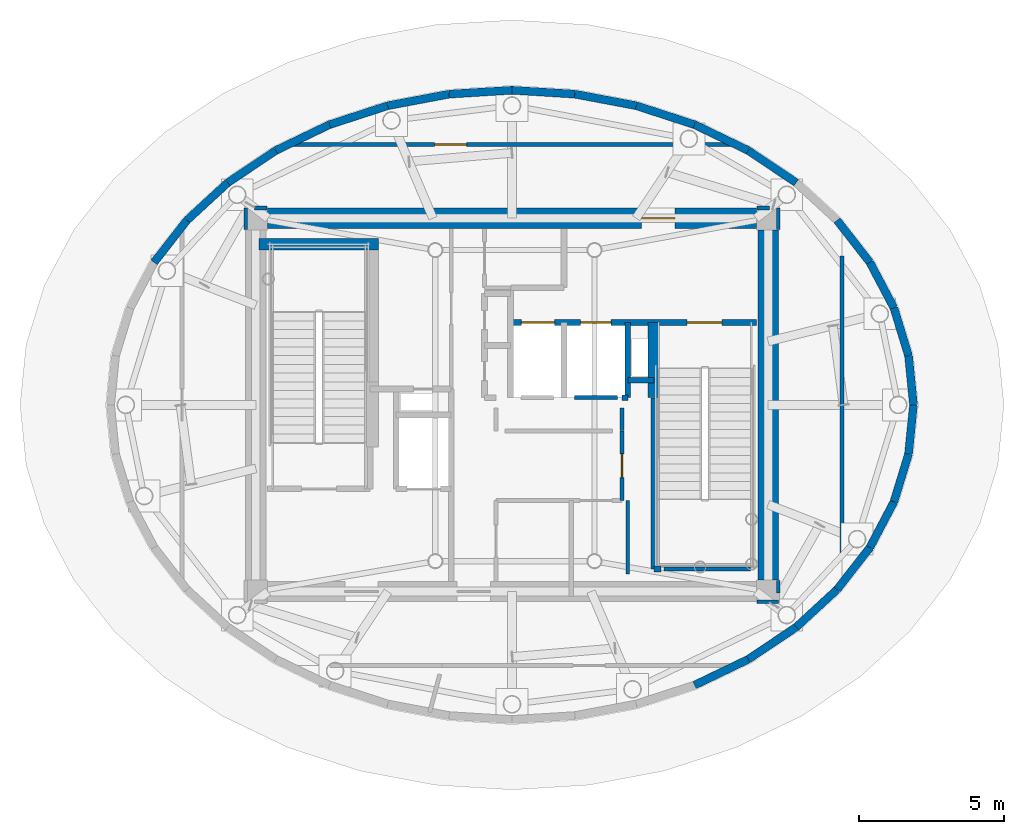
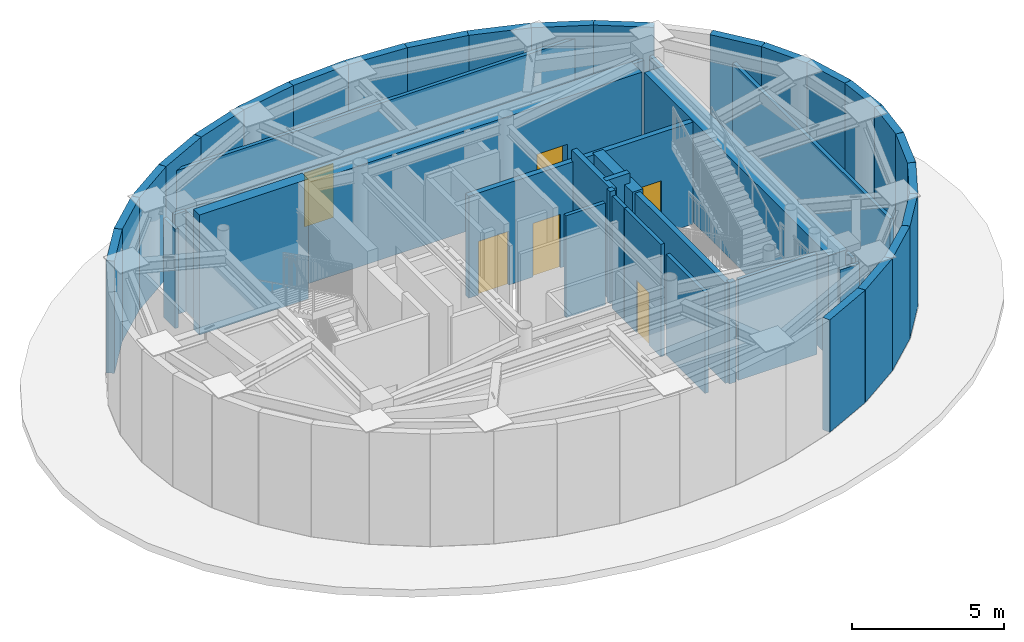
# One storey, part 4 of 12: 46 walls, 6 doors, 6 openings.
"""IFC4 building model written with IfcOpenShell, lengths in metres."""

from ifc_helpers import new_model, si_unit, direction, frame, frame_2d, origin, origin_2d, place, context, subcontext, project, spatial, rectangle, extrude, source, transform, mapped, material, layer, layer_set, type_object, element, fill, save


model = new_model("IFC4")

# Units and contexts
model_context = context("Model", 3, precision=1e-05, world=origin(), true_north=direction((0.0, 1.0)))
body_context = subcontext(model_context, "Body", "Model", "MODEL_VIEW")
ifc_project = project(units=[si_unit("LENGTHUNIT", "METRE"), si_unit("AREAUNIT", "SQUARE_METRE"), si_unit("VOLUMEUNIT", "CUBIC_METRE"), si_unit("PLANEANGLEUNIT", "RADIAN"), si_unit("MASSUNIT", "GRAM", prefix="KILO")], contexts=[model_context])

# Site, building, storey
site_placement = place(None, origin())
site = spatial("IfcSite", under=ifc_project, at=site_placement, CompositionType="ELEMENT")
building_placement = place(site_placement, origin())
building = spatial("IfcBuilding", under=site, at=building_placement, Name="Linh Dai School and Residence Tower", CompositionType="ELEMENT")
storey_placement = place(building_placement, frame((0.0, 0.0, 368.39990234375)))
storey = spatial("IfcBuildingStorey", under=building, at=storey_placement, Name="L91", CompositionType="ELEMENT", Elevation=368.39990234375)

# Walls
ifc_material_1 = material(Name="Concrete B45 (C35/45)", Category="concrete")
ifc_layer_1 = layer(ifc_material_1, 0.280029296875)
ifc_layer_set_1 = layer_set([ifc_layer_1], Name="Concrete B45 (C35/45)")
wall_type_1 = type_object("IfcWallType", Name="EW-DRM-280", PredefinedType="SOLIDWALL", material=ifc_layer_set_1)
wall_1_placement = place(storey_placement, frame((49.705078125, 28.696044921875, 0.0), z_axis=(0.0, 0.0, 1.0), x_axis=(0.099688072745, -0.995018737589, 0.0)))
element("IfcWall", 1, at=wall_1_placement, inside=storey, type_object=wall_type_1, Name="L91 Terracotta Exterior Wall 01", PredefinedType="SOLIDWALL", context=body_context, shape_type="SweptSolid", body=[
    extrude(rectangle(XDim=1.70458984375, YDim=0.280029296875, at=frame_2d((0.852294921875, 0.0))), origin(), (0.0, 0.0, 1.0), 4.5),
])
wall_2_placement = place(storey_placement, frame((49.19921875, 30.351318359375, 0.0), z_axis=(0.0, 0.0, 1.0), x_axis=(0.292261538012, -0.956338430368, 0.0)))
element("IfcWall", 2, at=wall_2_placement, inside=storey, type_object=wall_type_1, Name="L91 Terracotta Exterior Wall 02", PredefinedType="SOLIDWALL", context=body_context, shape_type="SweptSolid", body=[
    extrude(rectangle(XDim=1.73095703125, YDim=0.280029296875, at=frame_2d((0.865478515625, 0.0))), origin(), (0.0, 0.0, 1.0), 4.5),
])
wall_3_placement = place(storey_placement, frame((48.369140625, 31.92578125, 0.0), z_axis=(0.0, 0.0, 1.0), x_axis=(0.466368181746, -0.884590707082, 0.0)))
element("IfcWall", 3, at=wall_3_placement, inside=storey, type_object=wall_type_1, Name="L91 Terracotta Exterior Wall 03", PredefinedType="SOLIDWALL", context=body_context, shape_type="SweptSolid", body=[
    extrude(rectangle(XDim=1.77978515625, YDim=0.280029296875, at=frame_2d((0.889892578125, 0.0))), origin(), (0.0, 0.0, 1.0), 4.5),
])
wall_4_placement = place(storey_placement, frame((47.234375, 33.380859375, 0.0), z_axis=(0.0, 0.0, 1.0), x_axis=(0.614965988217, -0.788553633773, 0.0)))
element("IfcWall", 4, at=wall_4_placement, inside=storey, type_object=wall_type_1, Name="L91 Terracotta Exterior Wall 04", PredefinedType="SOLIDWALL", context=body_context, shape_type="SweptSolid", body=[
    extrude(rectangle(XDim=1.84521484375, YDim=0.280029296875, at=frame_2d((0.922607421875, 0.0))), origin(), (0.0, 0.0, 1.0), 4.5),
])
wall_5_placement = place(storey_placement, frame((44.1669921875, 35.79052734375, 0.0), z_axis=(0.0, 0.0, 1.0), x_axis=(0.830407326996, -0.557156774411, 0.0)))
element("IfcWall", 5, at=wall_5_placement, inside=storey, type_object=wall_type_1, Name="L91 Terracotta Exterior Wall 06", PredefinedType="SOLIDWALL", context=body_context, shape_type="SweptSolid", body=[
    extrude(rectangle(XDim=1.993408203125, YDim=0.280029296875, at=frame_2d((0.99658203125, 0.0))), origin(), (0.0, 0.0, 1.0), 4.5),
])
wall_6_placement = place(storey_placement, frame((42.309326171875, 36.68505859375, 0.0), z_axis=(0.0, 0.0, 1.0), x_axis=(0.900982812949, -0.433854780739, 0.0)))
element("IfcWall", 6, at=wall_6_placement, inside=storey, type_object=wall_type_1, Name="L91 Terracotta Exterior Wall 07", PredefinedType="SOLIDWALL", context=body_context, shape_type="SweptSolid", body=[
    extrude(rectangle(XDim=2.061767578125, YDim=0.280029296875, at=frame_2d((1.03076171875, 0.0))), origin(), (0.0, 0.0, 1.0), 4.5),
])
wall_7_placement = place(storey_placement, frame((40.29541015625, 37.340576171875, 0.0), z_axis=(0.0, 0.0, 1.0), x_axis=(0.950895892553, -0.309510906959, 0.0)))
element("IfcWall", 7, at=wall_7_placement, inside=storey, type_object=wall_type_1, Name="L91 Terracotta Exterior Wall 08", PredefinedType="SOLIDWALL", context=body_context, shape_type="SweptSolid", body=[
    extrude(rectangle(XDim=2.117919921875, YDim=0.280029296875, at=frame_2d((1.05908203125, 0.0))), origin(), (0.0, 0.0, 1.0), 4.5),
])
wall_8_placement = place(storey_placement, frame((38.174560546875, 37.740478515625, 0.0), z_axis=(0.0, 0.0, 1.0), x_axis=(0.982683423472, -0.18529244246, 0.0)))
element("IfcWall", 8, at=wall_8_placement, inside=storey, type_object=wall_type_1, Name="L91 Terracotta Exterior Wall 09", PredefinedType="SOLIDWALL", context=body_context, shape_type="SweptSolid", body=[
    extrude(rectangle(XDim=2.158203125, YDim=0.280029296875, at=frame_2d((1.0791015625, 0.0))), origin(), (0.0, 0.0, 1.0), 4.5),
])
for number, where, z_axis, x_axis, name in (
    (9, (36.0, 37.875, 0.0), (0.0, 0.0, 1.0), (0.99809205436, -0.061743428983, 0.0), "L91 Terracotta Exterior Wall 10"),
    (10, (33.825439453125, 37.740478515625, 0.0), (0.0, 0.0, 1.0), (0.99809205436, 0.061743428983, 0.0), "L91 Terracotta Exterior Wall 11"),
):
    element("IfcWall", number, at=place(storey_placement, frame(where, z_axis=z_axis, x_axis=x_axis)), inside=storey, type_object=wall_type_1, Name=name, PredefinedType="SOLIDWALL", context=body_context, shape_type="SweptSolid", body=[
        extrude(rectangle(XDim=2.1787109375, YDim=0.280029296875, at=frame_2d((1.08935546875, 0.0))), origin(), (0.0, 0.0, 1.0), 4.5),
    ])
wall_9_placement = place(storey_placement, frame((31.70458984375, 37.340576171875, 0.0), z_axis=(0.0, 0.0, 1.0), x_axis=(0.982683423472, 0.18529244246, 0.0)))
element("IfcWall", 11, at=wall_9_placement, inside=storey, type_object=wall_type_1, Name="L91 Terracotta Exterior Wall 12", PredefinedType="SOLIDWALL", context=body_context, shape_type="SweptSolid", body=[
    extrude(rectangle(XDim=2.158203125, YDim=0.280029296875, at=frame_2d((1.0791015625, 0.0))), origin(), (0.0, 0.0, 1.0), 4.5),
])
wall_10_placement = place(storey_placement, frame((29.690673828125, 36.68505859375, 0.0), z_axis=(0.0, 0.0, 1.0), x_axis=(0.950895892553, 0.309510906959, 0.0)))
element("IfcWall", 12, at=wall_10_placement, inside=storey, type_object=wall_type_1, Name="L91 Terracotta Exterior Wall 13", PredefinedType="SOLIDWALL", context=body_context, shape_type="SweptSolid", body=[
    extrude(rectangle(XDim=2.117919921875, YDim=0.280029296875, at=frame_2d((1.05908203125, 0.0))), origin(), (0.0, 0.0, 1.0), 4.5),
])
wall_11_placement = place(storey_placement, frame((27.8330078125, 35.79052734375, 0.0), z_axis=(0.0, 0.0, 1.0), x_axis=(0.900982812949, 0.433854780739, 0.0)))
element("IfcWall", 13, at=wall_11_placement, inside=storey, type_object=wall_type_1, Name="L91 Terracotta Exterior Wall 14", PredefinedType="SOLIDWALL", context=body_context, shape_type="SweptSolid", body=[
    extrude(rectangle(XDim=2.061767578125, YDim=0.280029296875, at=frame_2d((1.03076171875, 0.0))), origin(), (0.0, 0.0, 1.0), 4.5),
])
wall_12_placement = place(storey_placement, frame((26.177734375, 34.679931640625, 0.0), z_axis=(0.0, 0.0, 1.0), x_axis=(0.830407326996, 0.557156774411, 0.0)))
element("IfcWall", 14, at=wall_12_placement, inside=storey, type_object=wall_type_1, Name="L91 Terracotta Exterior Wall 15", PredefinedType="SOLIDWALL", context=body_context, shape_type="SweptSolid", body=[
    extrude(rectangle(XDim=1.993408203125, YDim=0.280029296875, at=frame_2d((0.99658203125, 0.0))), origin(), (0.0, 0.0, 1.0), 4.5),
])
wall_13_placement = place(storey_placement, frame((24.765625, 33.380859375, 0.0), z_axis=(0.0, 0.0, 1.0), x_axis=(0.735948763185, 0.677037235288, 0.0)))
element("IfcWall", 15, at=wall_13_placement, inside=storey, type_object=wall_type_1, Name="L91 Terracotta Exterior Wall 16", PredefinedType="SOLIDWALL", context=body_context, shape_type="SweptSolid", body=[
    extrude(rectangle(XDim=1.918701171875, YDim=0.280029296875, at=frame_2d((0.95947265625, 0.0))), origin(), (0.0, 0.0, 1.0), 4.5),
])
wall_14_placement = place(storey_placement, frame((23.630859375, 31.92578125, 0.0), z_axis=(0.0, 0.0, 1.0), x_axis=(0.614965988217, 0.788553633773, 0.0)))
element("IfcWall", 16, at=wall_14_placement, inside=storey, type_object=wall_type_1, Name="L91 Terracotta Exterior Wall 17", PredefinedType="SOLIDWALL", context=body_context, shape_type="SweptSolid", body=[
    extrude(rectangle(XDim=1.84521484375, YDim=0.280029296875, at=frame_2d((0.922607421875, 0.0))), origin(), (0.0, 0.0, 1.0), 4.5),
])
wall_15_placement = place(storey_placement, frame((44.1669921875, 18.20947265625, 0.0), z_axis=(0.0, 0.0, 1.0), x_axis=(-0.900982812949, -0.433854780739, 0.0)))
element("IfcWall", 17, at=wall_15_placement, inside=storey, type_object=wall_type_1, Name="L91 Terracotta Exterior Wall 34", PredefinedType="SOLIDWALL", context=body_context, shape_type="SweptSolid", body=[
    extrude(rectangle(XDim=2.061767578125, YDim=0.280029296875, at=frame_2d((1.03076171875, 0.0))), origin(), (0.0, 0.0, 1.0), 4.5),
])
wall_16_placement = place(storey_placement, frame((45.822265625, 19.320068359375, 0.0), z_axis=(0.0, 0.0, 1.0), x_axis=(-0.830407326996, -0.557156774411, 0.0)))
element("IfcWall", 18, at=wall_16_placement, inside=storey, type_object=wall_type_1, Name="L91 Terracotta Exterior Wall 35", PredefinedType="SOLIDWALL", context=body_context, shape_type="SweptSolid", body=[
    extrude(rectangle(XDim=1.993408203125, YDim=0.280029296875, at=frame_2d((0.99658203125, 0.0))), origin(), (0.0, 0.0, 1.0), 4.5),
])
wall_17_placement = place(storey_placement, frame((47.234375, 20.619140625, 0.0), z_axis=(0.0, 0.0, 1.0), x_axis=(-0.735948763185, -0.677037235288, 0.0)))
element("IfcWall", 19, at=wall_17_placement, inside=storey, type_object=wall_type_1, Name="L91 Terracotta Exterior Wall 36", PredefinedType="SOLIDWALL", context=body_context, shape_type="SweptSolid", body=[
    extrude(rectangle(XDim=1.918701171875, YDim=0.280029296875, at=frame_2d((0.95947265625, 0.0))), origin(), (0.0, 0.0, 1.0), 4.5),
])
wall_18_placement = place(storey_placement, frame((48.369140625, 22.07421875, 0.0), z_axis=(0.0, 0.0, 1.0), x_axis=(-0.614965988217, -0.788553633773, 0.0)))
element("IfcWall", 20, at=wall_18_placement, inside=storey, type_object=wall_type_1, Name="L91 Terracotta Exterior Wall 37", PredefinedType="SOLIDWALL", context=body_context, shape_type="SweptSolid", body=[
    extrude(rectangle(XDim=1.84521484375, YDim=0.280029296875, at=frame_2d((0.922607421875, 0.0))), origin(), (0.0, 0.0, 1.0), 4.5),
])
wall_19_placement = place(storey_placement, frame((49.19921875, 23.648681640625, 0.0), z_axis=(0.0, 0.0, 1.0), x_axis=(-0.466368181746, -0.884590707082, 0.0)))
element("IfcWall", 21, at=wall_19_placement, inside=storey, type_object=wall_type_1, Name="L91 Terracotta Exterior Wall 38", PredefinedType="SOLIDWALL", context=body_context, shape_type="SweptSolid", body=[
    extrude(rectangle(XDim=1.77978515625, YDim=0.280029296875, at=frame_2d((0.889892578125, 0.0))), origin(), (0.0, 0.0, 1.0), 4.5),
])
wall_20_placement = place(storey_placement, frame((49.705078125, 25.303955078125, 0.0), z_axis=(0.0, 0.0, 1.0), x_axis=(-0.292261538012, -0.956338430368, 0.0)))
element("IfcWall", 22, at=wall_20_placement, inside=storey, type_object=wall_type_1, Name="L91 Terracotta Exterior Wall 39", PredefinedType="SOLIDWALL", context=body_context, shape_type="SweptSolid", body=[
    extrude(rectangle(XDim=1.73095703125, YDim=0.280029296875, at=frame_2d((0.865478515625, 0.0))), origin(), (0.0, 0.0, 1.0), 4.5),
])
wall_21_placement = place(storey_placement, frame((49.875, 27.0, 0.0), z_axis=(0.0, 0.0, 1.0), x_axis=(-0.099688072745, -0.995018737589, 0.0)))
element("IfcWall", 23, at=wall_21_placement, inside=storey, type_object=wall_type_1, Name="L91 Terracotta Exterior Wall 40", PredefinedType="SOLIDWALL", context=body_context, shape_type="SweptSolid", body=[
    extrude(rectangle(XDim=1.70458984375, YDim=0.280029296875, at=frame_2d((0.852294921875, 0.0))), origin(), (0.0, 0.0, 1.0), 4.5),
])

# Wall, opening, door
ifc_material_2 = material(Name="Autoclaved Aerated Concrete Blockwork", Category="masonry")
ifc_layer_2 = layer(ifc_material_2, 0.135009765625)
ifc_layer_set_2 = layer_set([ifc_layer_2], Name="Autoclaved Aerated Concrete Blockwork")
wall_type_2 = type_object("IfcWallType", Name="IW-CORR-135-EI90", PredefinedType="PARTITIONING", material=ifc_layer_set_2)
wall_22_placement = place(storey_placement, frame((28.25634765625, 36.0, 0.0), z_axis=(0.0, 0.0, 1.0), x_axis=(1.0, 0.0, 0.0)))
wall_22 = element("IfcWall", 24, at=wall_22_placement, inside=storey, type_object=wall_type_2, Name="L91 Interior Partition Wall 003", PredefinedType="PARTITIONING", context=body_context, shape_type="SweptSolid", body=[
    extrude(rectangle(XDim=15.4873046875, YDim=0.135009765625, at=frame_2d((7.74365234375, 0.0))), origin(), (0.0, 0.0, 1.0), 3.985107421875),
])
opening_1_placement = place(wall_22_placement, frame((5.071533203125, 0.0, 0.0)))
opening_1 = element("IfcOpeningElement", 25, at=opening_1_placement, cuts=wall_22, Name="Opening D07", PredefinedType="OPENING", context=body_context, shape_type="SweptSolid", body=[
    extrude(rectangle(XDim=1.10009765625, YDim=2.14990234375, at=origin_2d()), frame((0.550048828125, 0.07763671875, 1.074951171875), z_axis=(0.0, -1.0, 0.0), x_axis=(1.0, 0.0, 0.0)), (0.0, 0.0, 1.0), 0.155029296875),
])
ifc_material_3 = material(Name="Fire-Rated Louvred Steel Plant Door", Category="steel")
door_type_1 = type_object("IfcDoorType", Name="DR-PLT-1100x2150-FD60S", OperationType="NOTDEFINED", PredefinedType="DOOR", material=ifc_material_3)
shared_shape_1 = source(origin(), body_context, "Body", "SweptSolid", [
    extrude(rectangle(XDim=1.10009765625, YDim=2.14990234375, at=origin_2d()), frame((0.550048828125, 0.02490234375, 1.074951171875), z_axis=(0.0, -1.0, 0.0), x_axis=(1.0, 0.0, 0.0)), (0.0, 0.0, 1.0), 0.050048828125),
])
door_1_placement = place(opening_1_placement, origin())
door_1 = element("IfcDoor", 26, at=door_1_placement, inside=storey, type_object=door_type_1, Name="L91 UHF/DVB-T2 Broadcast Transmitter Hall Door", OperationType="SINGLE_SWING_LEFT", OverallHeight=2.14990234375, OverallWidth=1.10009765625, PredefinedType="DOOR", context=body_context, shape_type="MappedRepresentation", body=[
    mapped(shared_shape_1, transform((0.0, 0.0, 0.0), x_axis=(1.0, 0.0, 0.0), y_axis=(0.0, 1.0, 0.0), z_axis=(0.0, 0.0, 1.0), scale=1.0)),
])
fill(opening_1, door_1)

wall_23_placement = place(storey_placement, frame((39.800048828125, 23.699951171875, 0.0), z_axis=(0.0, 0.0, 1.0), x_axis=(0.0, 1.0, 0.0)))
wall_23 = element("IfcWall", 27, at=wall_23_placement, inside=storey, type_object=wall_type_2, Name="L91 Interior Partition Wall 026", PredefinedType="PARTITIONING", context=body_context, shape_type="SweptSolid", body=[
    extrude(rectangle(XDim=2.400146484375, YDim=0.135009765625, at=frame_2d((1.2001953125, 0.0))), origin(), (0.0, 0.0, 1.0), 4.5),
])
opening_2_placement = place(wall_23_placement, frame((0.7900390625, 0.0, 0.0)))
opening_2 = element("IfcOpeningElement", 28, at=opening_2_placement, cuts=wall_23, Name="Opening D06", PredefinedType="OPENING", context=body_context, shape_type="SweptSolid", body=[
    extrude(rectangle(XDim=0.820068359375, YDim=2.10009765625, at=origin_2d()), frame((0.41015625, 0.07763671875, 1.050048828125), z_axis=(0.0, -1.0, 0.0), x_axis=(1.0, 0.0, 0.0)), (0.0, 0.0, 1.0), 0.155029296875),
])
ifc_material_4 = material(Name="Moisture-Resistant Timber Bathroom Door", Category="wood")
door_type_2 = type_object("IfcDoorType", Name="DR-WET-820x2100", OperationType="NOTDEFINED", PredefinedType="DOOR", material=ifc_material_4)
shared_shape_2 = source(origin(), body_context, "Body", "SweptSolid", [
    extrude(rectangle(XDim=0.820068359375, YDim=2.10009765625, at=origin_2d()), frame((0.41015625, 0.02490234375, 1.050048828125), z_axis=(0.0, -1.0, 0.0), x_axis=(1.0, 0.0, 0.0)), (0.0, 0.0, 1.0), 0.050048828125),
])
door_2_placement = place(opening_2_placement, origin())
door_2 = element("IfcDoor", 29, at=door_2_placement, inside=storey, type_object=door_type_2, Name="L91 East Linen Store Door", OperationType="SINGLE_SWING_RIGHT", OverallHeight=2.10009765625, OverallWidth=0.820068359375, PredefinedType="DOOR", context=body_context, shape_type="MappedRepresentation", body=[
    mapped(shared_shape_2, transform((0.0, 0.0, 0.0), x_axis=(1.0, 0.0, 0.0), y_axis=(0.0, 1.0, 0.0), z_axis=(0.0, 0.0, 1.0), scale=1.0)),
])
fill(opening_2, door_2)

# Walls
wall_24_placement = place(storey_placement, frame((44.239990234375, 21.330078125, 0.0), z_axis=(0.0, 0.0, 1.0), x_axis=(-1.0, 0.0, 0.0)))
element("IfcWall", 30, at=wall_24_placement, inside=storey, type_object=wall_type_2, Name="L91 Interior Partition Wall 032", PredefinedType="PARTITIONING", context=body_context, shape_type="SweptSolid", body=[
    extrude(rectangle(XDim=2.97998046875, YDim=0.135009765625, at=frame_2d((1.489990234375, 0.0))), origin(), (0.0, 0.0, 1.0), 4.03515625),
])
wall_25_placement = place(storey_placement, frame((39.639892578125, 27.25, 0.0), z_axis=(0.0, 0.0, 1.0), x_axis=(-1.0, 0.0, 0.0)))
element("IfcWall", 31, at=wall_25_placement, inside=storey, type_object=wall_type_2, Name="L91 Interior Partition Wall 034", PredefinedType="PARTITIONING", context=body_context, shape_type="SweptSolid", body=[
    extrude(rectangle(XDim=1.47998046875, YDim=0.135009765625, at=frame_2d((0.739990234375, 0.0))), origin(), (0.0, 0.0, 1.0), 4.085205078125),
])
wall_26_placement = place(storey_placement, frame((40.0, 23.699951171875, 0.0), z_axis=(0.0, 0.0, 1.0), x_axis=(0.0, -1.0, 0.0)))
element("IfcWall", 32, at=wall_26_placement, inside=storey, type_object=wall_type_2, Name="L91 Interior Partition Wall 035", PredefinedType="PARTITIONING", context=body_context, shape_type="SweptSolid", body=[
    extrude(rectangle(XDim=2.5400390625, YDim=0.135009765625, at=frame_2d((1.27001953125, 0.0))), origin(), (0.0, 0.0, 1.0), 4.03515625),
])
wall_27_placement = place(storey_placement, frame((39.800048828125, 26.110107421875, 0.0), z_axis=(0.0, 0.0, 1.0), x_axis=(0.0, 1.0, 0.0)))
element("IfcWall", 33, at=wall_27_placement, inside=storey, type_object=wall_type_2, Name="L91 Interior Partition Wall 036", PredefinedType="PARTITIONING", context=body_context, shape_type="SweptSolid", body=[
    extrude(rectangle(XDim=0.77978515625, YDim=0.135009765625, at=frame_2d((0.389892578125, 0.0))), origin(), (0.0, 0.0, 1.0), 4.5),
])
wall_28_placement = place(storey_placement, frame((47.39990234375, 32.151611328125, 0.0), z_axis=(0.0, 0.0, 1.0), x_axis=(0.0, -1.0, 0.0)))
element("IfcWall", 34, at=wall_28_placement, inside=storey, type_object=wall_type_2, Name="L91 Interior Partition Wall 039", PredefinedType="PARTITIONING", context=body_context, shape_type="SweptSolid", body=[
    extrude(rectangle(XDim=10.30322265625, YDim=0.135009765625, at=frame_2d((5.151611328125, 0.0))), origin(), (0.0, 0.0, 1.0), 3.985107421875),
])
for number, where, z_axis, x_axis, name in (
    (35, (26.800048828125, 33.800048828125, 0.0), (0.0, 0.0, 1.0), (0.0, -1.0, 0.0), "L91 Interior Partition Wall 041"),
    (36, (44.4599609375, 20.199951171875, 0.0), (0.0, 0.0, 1.0), (1.0, 0.0, 0.0), "L91 Interior Partition Wall 044"),
):
    element("IfcWall", number, at=place(storey_placement, frame(where, z_axis=z_axis, x_axis=x_axis)), inside=storey, type_object=wall_type_2, Name=name, PredefinedType="PARTITIONING", context=body_context, shape_type="SweptSolid", body=[
        extrude(rectangle(XDim=0.739990234375, YDim=0.135009765625, at=frame_2d((0.3701171875, 0.0))), origin(), (0.0, 0.0, 1.0), 3.985107421875),
    ])
wall_29_placement = place(storey_placement, frame((45.199951171875, 20.507568359375, 0.0), z_axis=(0.0, 0.0, 1.0), x_axis=(0.0, 1.0, 0.0)))
element("IfcWall", 37, at=wall_29_placement, inside=storey, type_object=wall_type_2, Name="L91 Interior Partition Wall 045", PredefinedType="PARTITIONING", context=body_context, shape_type="SweptSolid", body=[
    extrude(rectangle(XDim=0.432373046875, YDim=0.135009765625, at=frame_2d((0.21630859375, 0.0))), origin(), (0.0, 0.0, 1.0), 3.985107421875),
])
wall_30_placement = place(storey_placement, frame((45.199951171875, 33.06005859375, 0.0), z_axis=(0.0, 0.0, 1.0), x_axis=(0.0, 1.0, 0.0)))
element("IfcWall", 38, at=wall_30_placement, inside=storey, type_object=wall_type_2, Name="L91 Interior Partition Wall 046", PredefinedType="PARTITIONING", context=body_context, shape_type="SweptSolid", body=[
    extrude(rectangle(XDim=0.739990234375, YDim=0.135009765625, at=frame_2d((0.3701171875, 0.0))), origin(), (0.0, 0.0, 1.0), 4.03515625),
])
wall_31_placement = place(storey_placement, frame((44.892578125, 33.800048828125, 0.0), z_axis=(0.0, 0.0, 1.0), x_axis=(-1.0, 0.0, 0.0)))
element("IfcWall", 39, at=wall_31_placement, inside=storey, type_object=wall_type_2, Name="L91 Interior Partition Wall 047", PredefinedType="PARTITIONING", context=body_context, shape_type="SweptSolid", body=[
    extrude(rectangle(XDim=0.4326171875, YDim=0.135009765625, at=frame_2d((0.21630859375, 0.0))), origin(), (0.0, 0.0, 1.0), 3.985107421875),
])
wall_32_placement = place(storey_placement, frame((27.5400390625, 33.800048828125, 0.0), z_axis=(0.0, 0.0, 1.0), x_axis=(-1.0, 0.0, 0.0)))
element("IfcWall", 40, at=wall_32_placement, inside=storey, type_object=wall_type_2, Name="L91 Interior Partition Wall 048", PredefinedType="PARTITIONING", context=body_context, shape_type="SweptSolid", body=[
    extrude(rectangle(XDim=0.4326171875, YDim=0.135009765625, at=frame_2d((0.21630859375, 0.0))), origin(), (0.0, 0.0, 1.0), 4.03515625),
])

# Wall, openings, doors
ifc_layer_3 = layer(ifc_material_1, 0.199951171875)
ifc_layer_set_3 = layer_set([ifc_layer_3], Name="Concrete B45 (C35/45)")
wall_type_3 = type_object("IfcWallType", Name="IW-SHAFT-200-EI120", PredefinedType="PARTITIONING", material=ifc_layer_set_3)
wall_33_placement = place(storey_placement, frame((35.949951171875, 29.85009765625, 0.0), z_axis=(0.0, 0.0, 1.0), x_axis=(1.0, 0.0, 0.0)))
wall_33 = element("IfcWall", 41, at=wall_33_placement, inside=storey, type_object=wall_type_3, Name="L91 Interior Partition Wall 021", PredefinedType="PARTITIONING", context=body_context, shape_type="SweptSolid", body=[
    extrude(rectangle(XDim=8.489990234375, YDim=0.199951171875, at=frame_2d((4.2451171875, 0.0))), origin(), (0.0, 0.0, 1.0), 4.085205078125),
])
opening_3_placement = place(wall_33_placement, frame((6.10009765625, 0.0, 0.0)))
opening_3 = element("IfcOpeningElement", 42, at=opening_3_placement, cuts=wall_33, Name="Opening D01", PredefinedType="OPENING", context=body_context, shape_type="SweptSolid", body=[
    extrude(rectangle(XDim=1.199951171875, YDim=2.14990234375, at=origin_2d()), frame((0.60009765625, 0.10986328125, 1.074951171875), z_axis=(0.0, -1.0, 0.0), x_axis=(1.0, 0.0, 0.0)), (0.0, 0.0, 1.0), 0.219970703125),
])
opening_4_placement = place(wall_33_placement, frame((0.3701171875, 0.0, 0.0)))
opening_4 = element("IfcOpeningElement", 43, at=opening_4_placement, cuts=wall_33, Name="Opening LD-FF1", PredefinedType="OPENING", context=body_context, shape_type="SweptSolid", body=[
    extrude(rectangle(XDim=1.14990234375, YDim=2.14990234375, at=origin_2d()), frame((0.574951171875, 0.10986328125, 1.074951171875), z_axis=(0.0, -1.0, 0.0), x_axis=(1.0, 0.0, 0.0)), (0.0, 0.0, 1.0), 0.219970703125),
])
opening_5_placement = place(wall_33_placement, frame((2.425048828125, 0.0, 0.0)))
opening_5 = element("IfcOpeningElement", 44, at=opening_5_placement, cuts=wall_33, Name="Opening LD-SV1", PredefinedType="OPENING", context=body_context, shape_type="SweptSolid", body=[
    extrude(rectangle(XDim=1.050048828125, YDim=2.14990234375, at=origin_2d()), frame((0.52490234375, 0.10986328125, 1.074951171875), z_axis=(0.0, -1.0, 0.0), x_axis=(1.0, 0.0, 0.0)), (0.0, 0.0, 1.0), 0.219970703125),
])
ifc_material_5 = material(Name="Fire-Rated Steel Door Leaf", Category="steel")
door_type_3 = type_object("IfcDoorType", Name="DR-STAIR-1200x2150-FD90S", OperationType="NOTDEFINED", PredefinedType="DOOR", material=ifc_material_5)
shared_shape_3 = source(origin(), body_context, "Body", "SweptSolid", [
    extrude(rectangle(XDim=1.199951171875, YDim=2.14990234375, at=origin_2d()), frame((0.60009765625, 0.02490234375, 1.074951171875), z_axis=(0.0, -1.0, 0.0), x_axis=(1.0, 0.0, 0.0)), (0.0, 0.0, 1.0), 0.050048828125),
])
door_3_placement = place(opening_3_placement, origin())
door_3 = element("IfcDoor", 45, at=door_3_placement, inside=storey, type_object=door_type_3, Name="L91 Core Smokeproof Exit Stair ST2 Door", OperationType="SINGLE_SWING_LEFT", OverallHeight=2.14990234375, OverallWidth=1.199951171875, PredefinedType="DOOR", context=body_context, shape_type="MappedRepresentation", body=[
    mapped(shared_shape_3, transform((0.0, 0.0, 0.0), x_axis=(1.0, 0.0, 0.0), y_axis=(0.0, 1.0, 0.0), z_axis=(0.0, 0.0, 1.0), scale=1.0)),
])
fill(opening_3, door_3)
ifc_material_6 = material(Name="Fire-Rated Stainless Steel Firefighting Lift Door", Category="steel")
door_type_4 = type_object("IfcDoorType", Name="DR-LD-FF-1150x2150-FD120", OperationType="DOUBLE_DOOR_SLIDING", PredefinedType="USERDEFINED", material=ifc_material_6)
shared_shape_4 = source(origin(), body_context, "Body", "SweptSolid", [
    extrude(rectangle(XDim=1.14990234375, YDim=2.14990234375, at=origin_2d()), frame((0.574951171875, 0.02490234375, 1.074951171875), z_axis=(0.0, -1.0, 0.0), x_axis=(1.0, 0.0, 0.0)), (0.0, 0.0, 1.0), 0.050048828125),
])
door_4_placement = place(opening_4_placement, origin())
door_4 = element("IfcDoor", 46, at=door_4_placement, inside=storey, type_object=door_type_4, Name="L91 Lift FF1 Sliding Landing Door", ObjectType="LANDING DOOR", OperationType="DOUBLE_DOOR_SLIDING", OverallHeight=2.14990234375, OverallWidth=1.14990234375, PredefinedType="USERDEFINED", context=body_context, shape_type="MappedRepresentation", body=[
    mapped(shared_shape_4, transform((0.0, 0.0, 0.0), x_axis=(1.0, 0.0, 0.0), y_axis=(0.0, 1.0, 0.0), z_axis=(0.0, 0.0, 1.0), scale=1.0)),
])
fill(opening_4, door_4)
ifc_material_7 = material(Name="Brushed Stainless Steel Lift Landing Door", Category="steel")
door_type_5 = type_object("IfcDoorType", Name="DR-LD-PASS-1050x2150", OperationType="DOUBLE_DOOR_SLIDING", PredefinedType="USERDEFINED", material=ifc_material_7)
shared_shape_5 = source(origin(), body_context, "Body", "SweptSolid", [
    extrude(rectangle(XDim=1.050048828125, YDim=2.14990234375, at=origin_2d()), frame((0.52490234375, 0.02490234375, 1.074951171875), z_axis=(0.0, -1.0, 0.0), x_axis=(1.0, 0.0, 0.0)), (0.0, 0.0, 1.0), 0.050048828125),
])
door_5_placement = place(opening_5_placement, origin())
door_5 = element("IfcDoor", 47, at=door_5_placement, inside=storey, type_object=door_type_5, Name="L91 Lift SV1 Sliding Landing Door", ObjectType="LANDING DOOR", OperationType="DOUBLE_DOOR_SLIDING", OverallHeight=2.14990234375, OverallWidth=1.050048828125, PredefinedType="USERDEFINED", context=body_context, shape_type="MappedRepresentation", body=[
    mapped(shared_shape_5, transform((0.0, 0.0, 0.0), x_axis=(1.0, 0.0, 0.0), y_axis=(0.0, 1.0, 0.0), z_axis=(0.0, 0.0, 1.0), scale=1.0)),
])
fill(opening_5, door_5)

# Walls
wall_34_placement = place(storey_placement, frame((39.800048828125, 27.25, 0.0), z_axis=(0.0, 0.0, 1.0), x_axis=(1.0, 0.0, 0.0)))
element("IfcWall", 48, at=wall_34_placement, inside=storey, type_object=wall_type_3, Name="L91 Interior Partition Wall 027", PredefinedType="PARTITIONING", context=body_context, shape_type="SweptSolid", body=[
    extrude(rectangle(XDim=0.199951171875, YDim=0.199951171875, at=frame_2d((0.10009765625, 0.0))), origin(), (0.0, 0.0, 1.0), 4.5),
])
wall_35_placement = place(storey_placement, frame((40.0, 27.25, 0.0), z_axis=(0.0, 0.0, 1.0), x_axis=(0.0, 1.0, 0.0)))
element("IfcWall", 49, at=wall_35_placement, inside=storey, type_object=wall_type_3, Name="L91 Interior Partition Wall 028", PredefinedType="PARTITIONING", context=body_context, shape_type="SweptSolid", body=[
    extrude(rectangle(XDim=2.60009765625, YDim=0.199951171875, at=frame_2d((1.300048828125, 0.0))), origin(), (0.0, 0.0, 1.0), 4.5),
])
wall_36_placement = place(storey_placement, frame((40.0, 27.85009765625, 0.0), z_axis=(0.0, 0.0, 1.0), x_axis=(1.0, 0.0, 0.0)))
element("IfcWall", 50, at=wall_36_placement, inside=storey, type_object=wall_type_3, Name="L91 Interior Partition Wall 029", PredefinedType="PARTITIONING", context=body_context, shape_type="SweptSolid", body=[
    extrude(rectangle(XDim=0.89990234375, YDim=0.199951171875, at=frame_2d((0.449951171875, 0.0))), origin(), (0.0, 0.0, 1.0), 4.5),
])
wall_37_placement = place(storey_placement, frame((40.89990234375, 21.330078125, 0.0), z_axis=(0.0, 0.0, 1.0), x_axis=(0.0, 1.0, 0.0)))
element("IfcWall", 51, at=wall_37_placement, inside=storey, type_object=wall_type_3, Name="L91 Interior Partition Wall 030", PredefinedType="PARTITIONING", context=body_context, shape_type="SweptSolid", body=[
    extrude(rectangle(XDim=5.909912109375, YDim=0.199951171875, at=frame_2d((2.955078125, 0.0))), origin(), (0.0, 0.0, 1.0), 4.03515625),
])
wall_38_placement = place(storey_placement, frame((40.89990234375, 21.330078125, 0.0), z_axis=(0.0, 0.0, 1.0), x_axis=(1.0, 0.0, 0.0)))
element("IfcWall", 52, at=wall_38_placement, inside=storey, type_object=wall_type_3, Name="L91 Interior Partition Wall 031", PredefinedType="PARTITIONING", context=body_context, shape_type="SweptSolid", body=[
    extrude(rectangle(XDim=0.25, YDim=0.199951171875, at=frame_2d((0.125, 0.0))), origin(), (0.0, 0.0, 1.0), 4.03515625),
])
ifc_layer_4 = layer(ifc_material_1, 0.39990234375)
ifc_layer_set_4 = layer_set([ifc_layer_4], Name="Concrete B45 (C35/45)")
wall_type_4 = type_object("IfcWallType", Name="WL-CORE400", PredefinedType="SHEAR", material=ifc_layer_set_4)
wall_39_placement = place(storey_placement, frame((27.25, 32.550048828125, 0.0), z_axis=(0.0, 0.0, 1.0), x_axis=(1.0, 0.0, 0.0)))
element("IfcWall", 53, at=wall_39_placement, inside=storey, type_object=wall_type_4, Name="L91 Core Stair ST1 Bearing Wall N", PredefinedType="SHEAR", context=body_context, shape_type="SweptSolid", body=[
    extrude(rectangle(XDim=4.1298828125, YDim=0.39990234375, at=frame_2d((2.06494140625, 0.0))), origin(), (0.0, 0.0, 1.0), 4.800048828125),
])
wall_40_placement = place(storey_placement, frame((40.89990234375, 27.25, 0.0), z_axis=(0.0, 0.0, 1.0), x_axis=(0.0, 1.0, 0.0)))
element("IfcWall", 54, at=wall_40_placement, inside=storey, type_object=wall_type_4, Name="L91 Internal Core Shear Wall IE", PredefinedType="SHEAR", context=body_context, shape_type="SweptSolid", body=[
    extrude(rectangle(XDim=2.60009765625, YDim=0.39990234375, at=frame_2d((1.300048828125, 0.0))), origin(), (0.0, 0.0, 1.0), 4.10009765625),
])

# Wall, opening, door
ifc_layer_5 = layer(ifc_material_1, 0.699951171875)
ifc_layer_set_5 = layer_set([ifc_layer_5], Name="Concrete B45 (C35/45)")
wall_type_5 = type_object("IfcWallType", Name="WL-CORE700", PredefinedType="SHEAR", material=ifc_layer_set_5)
wall_41_placement = place(storey_placement, frame((27.550048828125, 33.449951171875, 0.0), z_axis=(0.0, 0.0, 1.0), x_axis=(1.0, 0.0, 0.0)))
wall_41 = element("IfcWall", 55, at=wall_41_placement, inside=storey, type_object=wall_type_5, Name="L91 Central Core Shear Wall N", PredefinedType="SHEAR", context=body_context, shape_type="SweptSolid", body=[
    extrude(rectangle(XDim=16.89990234375, YDim=0.699951171875, at=frame_2d((8.449951171875, 0.0))), origin(), (0.0, 0.0, 1.0), 4.050048828125),
])
opening_6_placement = place(wall_41_placement, frame((12.925048828125, 0.0, 0.0)))
opening_6 = element("IfcOpeningElement", 56, at=opening_6_placement, cuts=wall_41, Name="Opening D02", PredefinedType="OPENING", context=body_context, shape_type="SweptSolid", body=[
    extrude(rectangle(XDim=1.14990234375, YDim=2.14990234375, at=origin_2d()), frame((0.574951171875, 0.35986328125, 1.074951171875), z_axis=(0.0, -1.0, 0.0), x_axis=(1.0, 0.0, 0.0)), (0.0, 0.0, 1.0), 0.719970703125),
])
ifc_material_8 = material(Name="Fire-Rated Glazed Steel Lobby Door", Category="steel")
door_type_6 = type_object("IfcDoorType", Name="DR-LOBBY-1150x2150-FD90S", OperationType="NOTDEFINED", PredefinedType="DOOR", material=ifc_material_8)
shared_shape_6 = source(origin(), body_context, "Body", "SweptSolid", [
    extrude(rectangle(XDim=1.14990234375, YDim=2.14990234375, at=origin_2d()), frame((0.574951171875, 0.02490234375, 1.074951171875), z_axis=(0.0, -1.0, 0.0), x_axis=(1.0, 0.0, 0.0)), (0.0, 0.0, 1.0), 0.050048828125),
])
door_6_placement = place(opening_6_placement, origin())
door_6 = element("IfcDoor", 57, at=door_6_placement, inside=storey, type_object=door_type_6, Name="L91 Firefighting Lobby Door", OperationType="SINGLE_SWING_RIGHT", OverallHeight=2.14990234375, OverallWidth=1.14990234375, PredefinedType="DOOR", context=body_context, shape_type="MappedRepresentation", body=[
    mapped(shared_shape_6, transform((0.0, 0.0, 0.0), x_axis=(1.0, 0.0, 0.0), y_axis=(0.0, 1.0, 0.0), z_axis=(0.0, 0.0, 1.0), scale=1.0)),
])
fill(opening_6, door_6)

# Wall
wall_42_placement = place(storey_placement, frame((44.85009765625, 33.050048828125, 0.0), z_axis=(0.0, 0.0, 1.0), x_axis=(0.0, -1.0, 0.0)))
element("IfcWall", 58, at=wall_42_placement, inside=storey, type_object=wall_type_5, Name="L91 Central Core Shear Wall E", PredefinedType="SHEAR", context=body_context, shape_type="SweptSolid", body=[
    extrude(rectangle(XDim=12.10009765625, YDim=0.699951171875, at=frame_2d((6.050048828125, 0.0))), origin(), (0.0, 0.0, 1.0), 4.050048828125),
])

save(model, "model.ifc")
